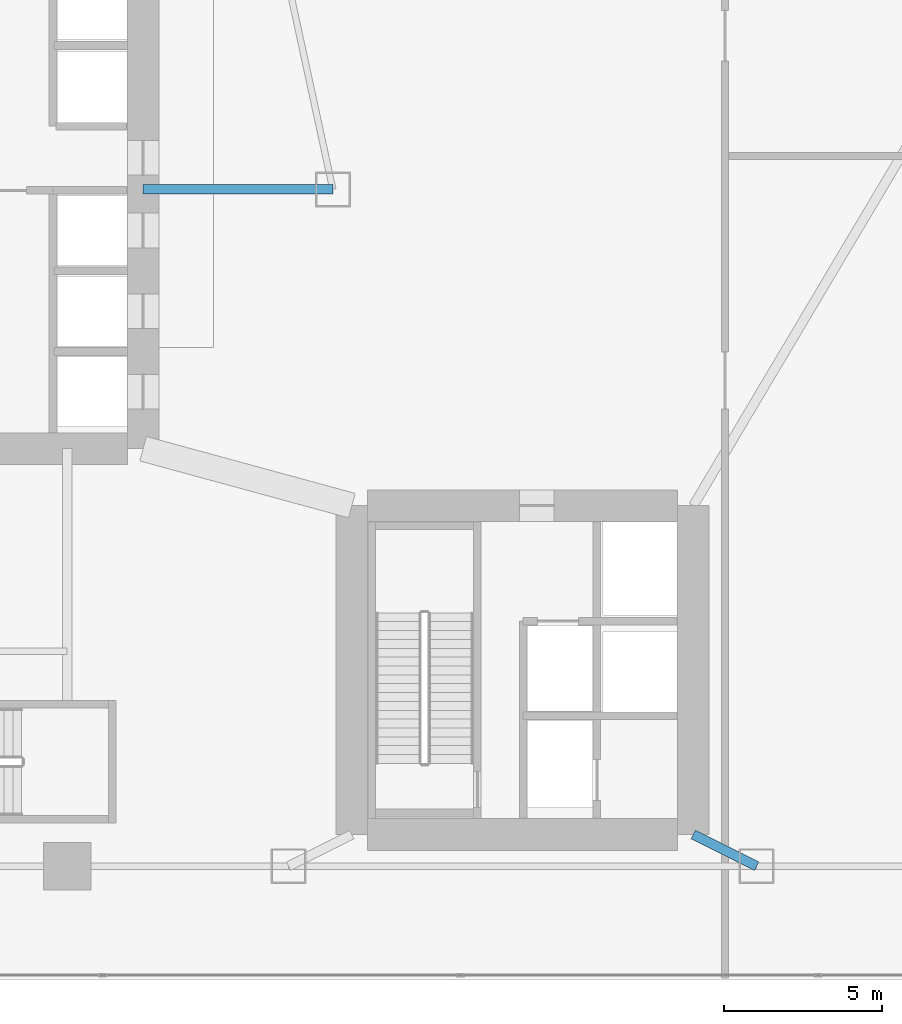
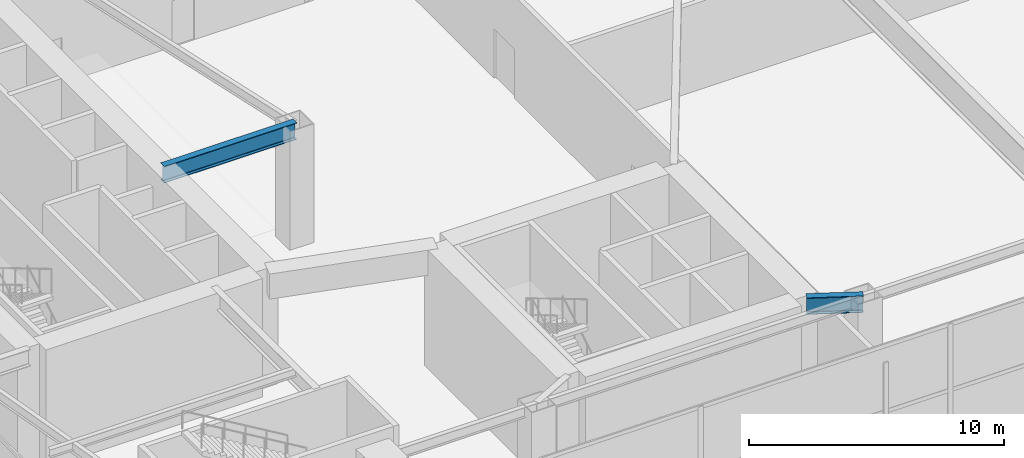
# One storey, part 10 of 35: 2 beams.
"""IFC4 building model written with IfcOpenShell, lengths in metres."""

from ifc_helpers import new_model, si_unit, direction, frame, origin, origin_2d, place, context, subcontext, project, spatial, i_section, extrude, material, material_profile, profile_set, type_object, element, save


model = new_model("IFC4")

# Units and contexts
model_context = context("Model", 3, precision=1e-05, world=origin(), true_north=direction((0.0, 1.0)))
body_context = subcontext(model_context, "Body", "Model", "MODEL_VIEW")
ifc_project = project(units=[si_unit("LENGTHUNIT", "METRE"), si_unit("AREAUNIT", "SQUARE_METRE"), si_unit("VOLUMEUNIT", "CUBIC_METRE"), si_unit("PLANEANGLEUNIT", "RADIAN"), si_unit("MASSUNIT", "GRAM", prefix="KILO")], contexts=[model_context])

# Site, building, storey
site_placement = place(None, origin())
site = spatial("IfcSite", under=ifc_project, at=site_placement, CompositionType="ELEMENT")
building_placement = place(site_placement, origin())
building = spatial("IfcBuilding", under=site, at=building_placement, Name="Calvorn Quay Hotel", CompositionType="ELEMENT")
storey_placement = place(building_placement, frame((0.0, 0.0, 6.0)))
storey = spatial("IfcBuildingStorey", under=building, at=storey_placement, Name="L01", CompositionType="ELEMENT", Elevation=6.0)

# Beams
ifc_material = material(Name="Steel Q390GJC", Category="steel")
ifc_material_profile = material_profile(ifc_material, i_section(OverallWidth=0.300048828125, OverallDepth=0.800048828125, WebThickness=0.013916015625, FlangeThickness=0.02587890625, FilletRadius=0.02392578125, at=origin_2d()), Name="HN800x300x14x26")
ifc_profile_set = profile_set([ifc_material_profile], Name="Steel Q390GJC")
beam_type = type_object("IfcBeamType", Name="BM-GIRD-POD", PredefinedType="BEAM", material=ifc_profile_set)
beam_1_placement = place(storey_placement, frame((21.0, 25.0, 5.280029296875), z_axis=(-1.0, 0.0, 0.0), x_axis=(0.0, -1.0, 0.0)))
element("IfcBeam", 1, at=beam_1_placement, inside=storey, type_object=beam_type, Name="Beam BG-L01-W7", PredefinedType="BEAM", context=body_context, shape_type="SweptSolid", body=[
    extrude(i_section(OverallWidth=0.300048828125, OverallDepth=0.800048828125, WebThickness=0.013916015625, FlangeThickness=0.02587890625, FilletRadius=0.02392578125, at=origin_2d()), origin(), (0.0, 0.0, 1.0), 6.0),
])
beam_2_placement = place(storey_placement, frame((34.39990234375, 3.60009765625, 5.280029296875), z_axis=(-0.894427191, 0.4472135955, 0.0), x_axis=(-0.4472135955, -0.894427191, 0.0)))
element("IfcBeam", 2, at=beam_2_placement, inside=storey, type_object=beam_type, Name="Beam BG-L01-S3", PredefinedType="BEAM", context=body_context, shape_type="SweptSolid", body=[
    extrude(i_section(OverallWidth=0.300048828125, OverallDepth=0.800048828125, WebThickness=0.013916015625, FlangeThickness=0.02587890625, FilletRadius=0.02392578125, at=origin_2d()), origin(), (0.0, 0.0, 1.0), 2.236083984375),
])

save(model, "model.ifc")
